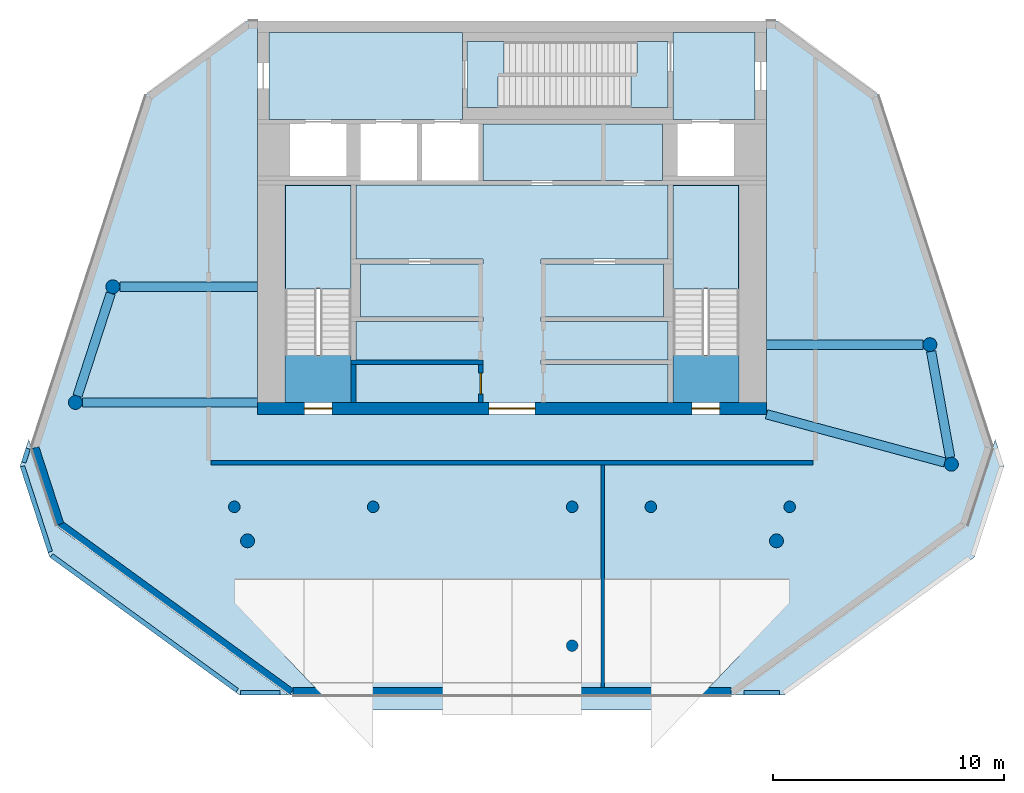
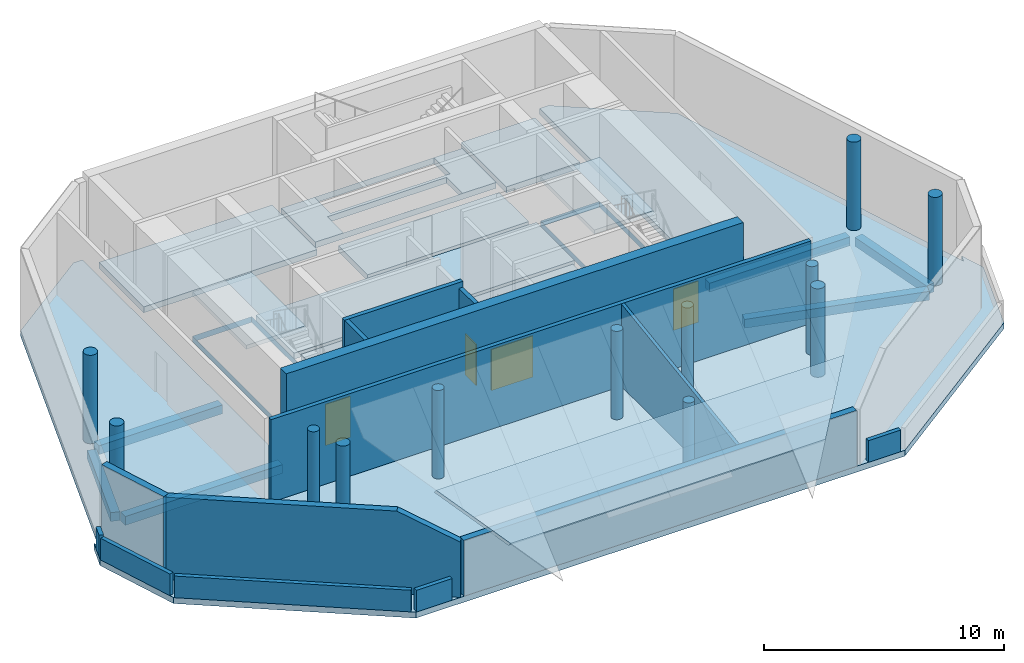
# One storey, part 1 of 7: 14 walls, 12 columns, 11 slabs, 6 beams, 4 doors, 4 openings, 2 elements without a shape of their own.
"""IFC4 building model written with IfcOpenShell, lengths in metres."""

import ifcopenshell
import ifcopenshell.guid

model = None  # the IFC model being written
_history = None  # IfcOwnerHistory: only IFC2X3 demands one
_inside = {}  # id of a spatial element -> (the spatial element, [elements in it])
_under = {}  # id of a project, library or spatial element -> (it, [spatial elements below it])
_declared = {}  # id of a project -> (the project, [libraries it declares])
_typed = {}  # id of a type object -> (the type object, [elements of that type])
_made_of = {}  # id of a material, layer set ... -> (it, [elements and type objects made of it])


def new_model(schema):
    """Start an empty IFC model of exactly this schema.

    Asked for "IFC4X3", IfcOpenShell would pick the latest addendum, in which some entities
    have other attributes; the version numbers below select the first issue.
    IFC2X3 requires an IfcOwnerHistory on every rooted entity: one is made here for all.
    """
    global model, _history
    if schema == "IFC4X3":
        model = ifcopenshell.file(schema_version=(4, 3, 0, 0))
    else:
        model = ifcopenshell.file(schema=schema)
    _inside.clear()
    _under.clear()
    _declared.clear()
    _typed.clear()
    _made_of.clear()
    _history = None
    if model.schema == "IFC2X3":
        org = make("IfcOrganization", Name="unknown")
        user = make(
            "IfcPersonAndOrganization",
            ThePerson=make("IfcPerson", FamilyName="unknown"),
            TheOrganization=org,
        )
        app = make(
            "IfcApplication",
            ApplicationDeveloper=org,
            Version="unknown",
            ApplicationFullName="unknown",
            ApplicationIdentifier="unknown",
        )
        _history = make(
            "IfcOwnerHistory",
            OwningUser=user,
            OwningApplication=app,
            ChangeAction="ADDED",
            CreationDate=0,
        )
    return model


def make(cls, **values):
    """One entity of the class cls with the attributes given. An attribute that is None is left unset."""
    return model.create_entity(
        cls, **{name: value for name, value in values.items() if value is not None}
    )


def rooted(cls, **values):
    """An entity with a GlobalId (a new one), such as an element, a storey or a relation."""
    return make(cls, GlobalId=ifcopenshell.guid.new(), OwnerHistory=_history, **values)


def si_unit(unit_type, name, prefix=None):
    """IfcSIUnit, for example si_unit("LENGTHUNIT", "METRE", prefix="MILLI")."""
    return make("IfcSIUnit", UnitType=unit_type, Prefix=prefix, Name=name)


def assignment(units):
    """IfcUnitAssignment: the units of a project."""
    return None if units is None else make("IfcUnitAssignment", Units=units)


def point(xyz):
    """IfcCartesianPoint."""
    return None if xyz is None else make("IfcCartesianPoint", Coordinates=xyz)


def direction(xyz):
    """IfcDirection."""
    return None if xyz is None else make("IfcDirection", DirectionRatios=xyz)


def frame(location, z_axis=None, x_axis=None):
    """IfcAxis2Placement3D, a coordinate frame: its origin and axes. An axis left out is left unset."""
    return make(
        "IfcAxis2Placement3D",
        Location=point(location),
        Axis=direction(z_axis),
        RefDirection=direction(x_axis),
    )


def frame_2d(location, x_axis=None):
    """IfcAxis2Placement2D, a coordinate frame in the plane: its origin and x axis."""
    return make(
        "IfcAxis2Placement2D", Location=point(location), RefDirection=direction(x_axis)
    )


def origin():
    """The frame at (0, 0, 0) with its axes left unset."""
    return frame((0.0, 0.0, 0.0))


def origin_2d():
    """The frame at (0, 0) in the plane with its x axis left unset."""
    return frame_2d((0.0, 0.0))


def place(relative_to, where):
    """IfcLocalPlacement: puts the frame where relative to a parent placement (None: the world)."""
    return make(
        "IfcLocalPlacement", PlacementRelTo=relative_to, RelativePlacement=where
    )


def context(
    kind, dimensions, precision=None, world=None, true_north=None, identifier=None
):
    """IfcGeometricRepresentationContext, for example the 3D "Model" context."""
    return make(
        "IfcGeometricRepresentationContext",
        ContextIdentifier=identifier,
        ContextType=kind,
        CoordinateSpaceDimension=dimensions,
        Precision=precision,
        WorldCoordinateSystem=world,
        TrueNorth=true_north,
    )


def subcontext(parent, identifier, kind, view, scale=None):
    """IfcGeometricRepresentationSubContext, for example "Body" below "Model"."""
    return make(
        "IfcGeometricRepresentationSubContext",
        ContextIdentifier=identifier,
        ContextType=kind,
        ParentContext=parent,
        TargetScale=scale,
        TargetView=view,
    )


def project(units=None, contexts=None):
    """IfcProject with its units and contexts."""
    return rooted(
        "IfcProject",
        Name="project",
        RepresentationContexts=contexts,
        UnitsInContext=assignment(units),
    )


def spatial(cls, under=None, at=None, **own):
    """A site, building, storey or space (cls), placed at a placement, below another one or the project."""
    s = rooted(cls, ObjectPlacement=at, **own)
    if under is not None:
        _under.setdefault(under.id(), (under, []))[1].append(s)
    return s


def polyline(points):
    """IfcPolyline through the points."""
    return make("IfcPolyline", Points=[point(p) for p in points])


def profile(cls, at=None, kind="AREA", **sizes):
    """A parametric profile (cls). Its sizes go by their IFC names, for example OverallWidth=200.0."""
    return make(cls, ProfileType=kind, Position=at, **sizes)


def rectangle(**sizes):
    """IfcRectangleProfileDef."""
    return profile("IfcRectangleProfileDef", **sizes)


def circle(**sizes):
    """IfcCircleProfileDef."""
    return profile("IfcCircleProfileDef", **sizes)


def outline(outer, holes=None, kind="AREA"):
    """IfcArbitraryClosedProfileDef: a profile drawn as a closed curve; with holes, ...WithVoids."""
    if holes is None:
        return make("IfcArbitraryClosedProfileDef", ProfileType=kind, OuterCurve=outer)
    return make(
        "IfcArbitraryProfileDefWithVoids",
        ProfileType=kind,
        OuterCurve=outer,
        InnerCurves=holes,
    )


def extrude(swept, where, along, depth):
    """IfcExtrudedAreaSolid: the profile swept, set in the frame where, extruded along a direction by depth."""
    return make(
        "IfcExtrudedAreaSolid",
        SweptArea=swept,
        Position=where,
        ExtrudedDirection=direction(along),
        Depth=depth,
    )


def shape(context_of_items, identifier, shape_type, items):
    """IfcShapeRepresentation: the items that make up one representation, for example the "Body"."""
    return make(
        "IfcShapeRepresentation",
        ContextOfItems=context_of_items,
        RepresentationIdentifier=identifier,
        RepresentationType=shape_type,
        Items=items,
    )


def material(Name=None, Category=None):
    """IfcMaterial."""
    return make("IfcMaterial", Name=Name, Category=Category)


def layer(
    of_material, thickness, ventilated=None, Name=None, Category=None, Priority=None
):
    """IfcMaterialLayer: one layer of a wall or slab, of a material (None: an air gap)."""
    return make(
        "IfcMaterialLayer",
        Material=of_material,
        LayerThickness=thickness,
        IsVentilated=ventilated,
        Name=Name,
        Category=Category,
        Priority=Priority,
    )


def layer_set(layers, Name=None):
    """IfcMaterialLayerSet."""
    return make("IfcMaterialLayerSet", MaterialLayers=layers, LayerSetName=Name)


def material_profile(
    of_material, cross_section, Name=None, Category=None, Priority=None
):
    """IfcMaterialProfile: a cross section and its material."""
    return make(
        "IfcMaterialProfile",
        Name=Name,
        Material=of_material,
        Profile=cross_section,
        Priority=Priority,
        Category=Category,
    )


def profile_set(profiles, Name=None, composite=None):
    """IfcMaterialProfileSet."""
    return make(
        "IfcMaterialProfileSet",
        Name=Name,
        MaterialProfiles=profiles,
        CompositeProfile=composite,
    )


def made_of(thing, what):
    """Note that an element or type object is made of a material, layer set ...; save() writes the relation."""
    if what is not None:
        _made_of.setdefault(what.id(), (what, []))[1].append(thing)
    return thing


def type_object(cls, material=None, **own):
    """A type object (cls), such as IfcWallType, which elements share."""
    return made_of(rooted(cls, **own), material)


def element(
    cls,
    number,
    at=None,
    inside=None,
    cuts=None,
    type_object=None,
    material=None,
    context=None,
    identifier="Body",
    shape_type=None,
    held_by="IfcProductDefinitionShape",
    body=None,
    shapes=None,
    **own,
):
    """One element of the class cls, such as IfcWall. Its Tag is "e" and its number.

    at: its placement. inside: the storey or other place that contains it. cuts: it is an
    opening in that element (IfcRelVoidsElement). A single representation is given by context,
    identifier, shape_type and body (its items); several are given by shapes. held_by: the class
    of the entity that holds the representations. save() writes the other relations.
    """
    e = rooted(cls, Tag="e%d" % number, ObjectPlacement=at, **own)
    if body is not None:
        shapes = [shape(context, identifier, shape_type, body)]
    if shapes is not None:
        e.Representation = make(held_by, Representations=shapes)
    if inside is not None:
        _inside.setdefault(inside.id(), (inside, []))[1].append(e)
    if cuts is not None:
        rooted(
            "IfcRelVoidsElement", RelatingBuildingElement=cuts, RelatedOpeningElement=e
        )
    if type_object is not None:
        _typed.setdefault(type_object.id(), (type_object, []))[1].append(e)
    return made_of(e, material)


def fill(opening, filler):
    """IfcRelFillsElement: the door or window that sits in an opening."""
    return rooted(
        "IfcRelFillsElement",
        RelatingOpeningElement=opening,
        RelatedBuildingElement=filler,
    )


def aggregate(whole, parts):
    """IfcRelAggregates: a whole, such as a stair, and the parts it consists of."""
    return rooted("IfcRelAggregates", RelatingObject=whole, RelatedObjects=parts)


def save(model, path):
    """Write the relations noted so far, then the file.

    IfcRelAggregates (storeys below a building ...), IfcRelContainedInSpatialStructure (elements
    in a storey), IfcRelDefinesByType, IfcRelAssociatesMaterial and IfcRelDeclares: one each for
    every whole, place, type object, material and project.
    """
    for whole, parts in _under.values():
        aggregate(whole, parts)
    for where, things in _inside.values():
        rooted(
            "IfcRelContainedInSpatialStructure",
            RelatedElements=things,
            RelatingStructure=where,
        )
    for kind, things in _typed.values():
        rooted("IfcRelDefinesByType", RelatedObjects=things, RelatingType=kind)
    for what, things in _made_of.values():
        rooted("IfcRelAssociatesMaterial", RelatedObjects=things, RelatingMaterial=what)
    for by, libraries in _declared.values():
        rooted("IfcRelDeclares", RelatingContext=by, RelatedDefinitions=libraries)
    model.write(path)


model = new_model("IFC4")

# Units and contexts
model_context = context("Model", 3, precision=1e-05, world=origin(), true_north=direction((0.0, 1.0)))
body_context = subcontext(model_context, "Body", "Model", "MODEL_VIEW")
ifc_project = project(units=[si_unit("LENGTHUNIT", "METRE"), si_unit("AREAUNIT", "SQUARE_METRE"), si_unit("VOLUMEUNIT", "CUBIC_METRE"), si_unit("PLANEANGLEUNIT", "RADIAN"), si_unit("MASSUNIT", "GRAM", prefix="KILO")], contexts=[model_context])

# Site, building, storey
site_placement = place(None, origin())
site = spatial("IfcSite", under=ifc_project, at=site_placement, CompositionType="ELEMENT")
building_placement = place(site_placement, origin())
building = spatial("IfcBuilding", under=site, at=building_placement, Name="White Candle Pilgrim Tower", CompositionType="ELEMENT")
storey_placement = place(building_placement, frame((0.0, 0.0, 333.199951171875)))
storey = spatial("IfcBuildingStorey", under=building, at=storey_placement, Name="L78", CompositionType="ELEMENT", Elevation=333.199951171875)

# Columns
ifc_material_1 = material(Name="Concrete C60/75", Category="concrete")
ifc_material_profile_1 = material_profile(ifc_material_1, circle(Radius=0.25, at=origin_2d()), Name="RC-COL D500")
ifc_profile_set_1 = profile_set([ifc_material_profile_1], Name="Concrete C60/75")
column_type_1 = type_object("IfcColumnType", Name="Interior column RC-COL D500 C60/75", PredefinedType="COLUMN", material=ifc_profile_set_1)
for number, where, z_axis, x_axis, name in (
    (1, (58.0, 67.0, 0.0), (0.0, 0.0, 1.0), (1.0, 0.0, 0.0), "L78 crown column I01"),
    (2, (64.0, 67.0, 0.0), (0.0, 0.0, 1.0), (1.0, 0.0, 0.0), "L78 crown column I02"),
):
    element("IfcColumn", number, at=place(storey_placement, frame(where, z_axis=z_axis, x_axis=x_axis)), inside=storey, type_object=column_type_1, Name=name, PredefinedType="COLUMN", context=body_context, shape_type="SweptSolid", body=[
        extrude(circle(Radius=0.25, at=origin_2d()), origin(), (0.0, 0.0, 1.0), 4.5),
    ])
column_placement = place(storey_placement, frame((72.60009765625, 61.0, 0.0), z_axis=(0.0, 0.0, 1.0), x_axis=(1.0, 0.0, 0.0)))
element("IfcColumn", 3, at=column_placement, inside=storey, type_object=column_type_1, Name="L78 crown column I03", PredefinedType="COLUMN", context=body_context, shape_type="SweptSolid", body=[
    extrude(circle(Radius=0.25, at=origin_2d()), origin(), (0.0, 0.0, 1.0), 4.492431640625),
])
for number, where, z_axis, x_axis, name in (
    (4, (72.60009765625, 67.0, 0.0), (0.0, 0.0, 1.0), (1.0, 0.0, 0.0), "L78 crown column I04"),
    (5, (76.0, 67.0, 0.0), (0.0, 0.0, 1.0), (1.0, 0.0, 0.0), "L78 crown column I05"),
    (6, (82.0, 67.0, 0.0), (0.0, 0.0, 1.0), (1.0, 0.0, 0.0), "L78 crown column I06"),
):
    element("IfcColumn", number, at=place(storey_placement, frame(where, z_axis=z_axis, x_axis=x_axis)), inside=storey, type_object=column_type_1, Name=name, PredefinedType="COLUMN", context=body_context, shape_type="SweptSolid", body=[
        extrude(circle(Radius=0.25, at=origin_2d()), origin(), (0.0, 0.0, 1.0), 4.5),
    ])
ifc_material_profile_2 = material_profile(ifc_material_1, circle(Radius=0.300048828125, at=origin_2d()), Name="RC-COL D600")
ifc_profile_set_2 = profile_set([ifc_material_profile_2], Name="Concrete C60/75")
column_type_2 = type_object("IfcColumnType", Name="Perimeter column RC-COL D600 C60/75", PredefinedType="COLUMN", material=ifc_profile_set_2)
for number, where, z_axis, x_axis, name in (
    (7, (88.989990234375, 68.840087890625, 0.0), (0.0, 0.0, 1.0), (1.0, 0.0, 0.0), "L78 crown column T05"),
    (8, (88.06005859375, 74.010009765625, 0.0), (0.0, 0.0, 1.0), (1.0, 0.0, 0.0), "L78 crown column T06"),
    (9, (52.75, 76.510009765625, 0.0), (0.0, 0.0, 1.0), (1.0, 0.0, 0.0), "L78 crown column T07"),
    (10, (51.1298828125, 71.510009765625, 0.0), (0.0, 0.0, 1.0), (1.0, 0.0, 0.0), "L78 crown column T08"),
):
    element("IfcColumn", number, at=place(storey_placement, frame(where, z_axis=z_axis, x_axis=x_axis)), inside=storey, type_object=column_type_2, Name=name, PredefinedType="COLUMN", context=body_context, shape_type="SweptSolid", body=[
        extrude(circle(Radius=0.300048828125, at=origin_2d()), origin(), (0.0, 0.0, 1.0), 4.5),
    ])
ifc_material_profile_3 = material_profile(ifc_material_1, circle(Radius=0.300048828125, at=origin_2d()), Name="RC-COL D600")
ifc_profile_set_3 = profile_set([ifc_material_profile_3], Name="Concrete C60/75")
column_type_3 = type_object("IfcColumnType", Name="Ring column RC-COL D600 C60/75", PredefinedType="COLUMN", material=ifc_profile_set_3)
for number, where, z_axis, x_axis, name in (
    (11, (81.429931640625, 65.530029296875, 0.0), (0.0, 0.0, 1.0), (1.0, 0.0, 0.0), "L78 crown column R05"),
    (12, (58.570068359375, 65.530029296875, 0.0), (0.0, 0.0, 1.0), (1.0, 0.0, 0.0), "L78 crown column R06"),
):
    element("IfcColumn", number, at=place(storey_placement, frame(where, z_axis=z_axis, x_axis=x_axis)), inside=storey, type_object=column_type_3, Name=name, PredefinedType="COLUMN", context=body_context, shape_type="SweptSolid", body=[
        extrude(circle(Radius=0.300048828125, at=origin_2d()), origin(), (0.0, 0.0, 1.0), 4.5),
    ])

# Beams
ifc_material_2 = material(Name="Concrete C50/60", Category="concrete")
ifc_material_profile_4 = material_profile(ifc_material_2, rectangle(XDim=0.39990234375, YDim=0.449951171875, at=origin_2d()), Name="RC-BM 400x450")
ifc_profile_set_4 = profile_set([ifc_material_profile_4], Name="Concrete C50/60")
beam_type = type_object("IfcBeamType", Name="Spandrel beam RC-BM 400x450 C50/60", PredefinedType="BEAM", material=ifc_profile_set_4)
beam_1_placement = place(storey_placement, frame((88.93701171875, 69.135009765625, -0.52490234375), z_axis=(-0.177070671153, 0.984198139308, 0.0), x_axis=(-0.984198139308, -0.177070671153, 0.0)))
element("IfcBeam", 13, at=beam_1_placement, inside=storey, type_object=beam_type, Name="L78 spandrel beam T01", PredefinedType="BEAM", context=body_context, shape_type="SweptSolid", body=[
    extrude(rectangle(XDim=0.39990234375, YDim=0.449951171875, at=origin_2d()), origin(), (0.0, 0.0, 1.0), 4.6533203125),
])
beam_2_placement = place(storey_placement, frame((87.760009765625, 74.010009765625, -0.52490234375), z_axis=(-1.0, 0.0, 0.0), x_axis=(0.0, -1.0, 0.0)))
element("IfcBeam", 14, at=beam_2_placement, inside=storey, type_object=beam_type, Name="L78 spandrel beam T02", PredefinedType="BEAM", context=body_context, shape_type="SweptSolid", body=[
    extrude(rectangle(XDim=0.39990234375, YDim=0.449951171875, at=origin_2d()), origin(), (0.0, 0.0, 1.0), 6.760009765625),
])
beam_3_placement = place(storey_placement, frame((53.050048828125, 76.510009765625, -0.52490234375), z_axis=(1.0, 0.0, 0.0), x_axis=(0.0, 1.0, 0.0)))
element("IfcBeam", 15, at=beam_3_placement, inside=storey, type_object=beam_type, Name="L78 spandrel beam T03", PredefinedType="BEAM", context=body_context, shape_type="SweptSolid", body=[
    extrude(rectangle(XDim=0.39990234375, YDim=0.449951171875, at=origin_2d()), origin(), (0.0, 0.0, 1.0), 5.949951171875),
])
beam_4_placement = place(storey_placement, frame((52.65771484375, 76.224609375, -0.52490234375), z_axis=(-0.308272590093, -0.951298065907, 0.0), x_axis=(0.951298065907, -0.308272590093, 0.0)))
element("IfcBeam", 16, at=beam_4_placement, inside=storey, type_object=beam_type, Name="L78 spandrel beam T04", PredefinedType="BEAM", context=body_context, shape_type="SweptSolid", body=[
    extrude(rectangle(XDim=0.39990234375, YDim=0.449951171875, at=origin_2d()), origin(), (0.0, 0.0, 1.0), 4.656005859375),
])
beam_5_placement = place(storey_placement, frame((51.429931640625, 71.510009765625, -0.52490234375), z_axis=(1.0, 0.0, 0.0), x_axis=(0.0, 1.0, 0.0)))
element("IfcBeam", 17, at=beam_5_placement, inside=storey, type_object=beam_type, Name="L78 spandrel beam T05", PredefinedType="BEAM", context=body_context, shape_type="SweptSolid", body=[
    extrude(rectangle(XDim=0.39990234375, YDim=0.449951171875, at=origin_2d()), origin(), (0.0, 0.0, 1.0), 7.570068359375),
])
beam_6_placement = place(storey_placement, frame((88.700439453125, 68.918212890625, -0.52490234375), z_axis=(-0.965344847794, 0.260977632831, 0.0), x_axis=(-0.260977632831, -0.965344847794, 0.0)))
element("IfcBeam", 18, at=beam_6_placement, inside=storey, type_object=beam_type, Name="L78 spandrel beam T06", PredefinedType="BEAM", context=body_context, shape_type="SweptSolid", body=[
    extrude(rectangle(XDim=0.39990234375, YDim=0.449951171875, at=origin_2d()), origin(), (0.0, 0.0, 1.0), 7.976806640625),
])

# Slabs
ifc_material_3 = material(Name="Concrete C40/50", Category="concrete")
ifc_layer_1 = layer(ifc_material_3, 0.300048828125)
ifc_layer_set_1 = layer_set([ifc_layer_1], Name="Core floor slab 300 mm Concrete C40/50")
slab_type_1 = type_object("IfcSlabType", Name="Core floor slab 300 mm Concrete C40/50", PredefinedType="FLOOR", material=ifc_layer_set_1)
slab_1_placement = place(storey_placement, frame((0.0, 0.0, -0.300048828125)))
element("IfcSlab", 19, at=slab_1_placement, inside=storey, type_object=slab_type_1, Name="CF-L78-01", PredefinedType="FLOOR", context=body_context, shape_type="SweptSolid", body=[
    extrude(outline(polyline([(67.85009765625, 87.5), (67.85009765625, 87.10009765625), (67.85009765625, 84.25), (67.85009765625, 83.75), (59.5, 83.75), (59.5, 87.5), (67.85009765625, 87.5)])), origin(), (0.0, 0.0, 1.0), 0.300048828125),
])
slab_2_placement = place(storey_placement, frame((0.0, 0.0, -0.300048828125)))
element("IfcSlab", 20, at=slab_2_placement, inside=storey, type_object=slab_type_1, Name="CF-L78-02", PredefinedType="FLOOR", context=body_context, shape_type="SweptSolid", body=[
    extrude(outline(polyline([(80.5, 87.5), (80.5, 83.75), (76.949951171875, 83.75), (76.949951171875, 84.25), (76.949951171875, 87.10009765625), (76.949951171875, 87.5), (80.5, 87.5)])), origin(), (0.0, 0.0, 1.0), 0.300048828125),
])
slab_3_placement = place(storey_placement, frame((0.0, 0.0, -0.300048828125)))
element("IfcSlab", 21, at=slab_3_placement, inside=storey, type_object=slab_type_1, Name="CF-L78-03", PredefinedType="FLOOR", context=body_context, shape_type="SweptSolid", body=[
    extrude(outline(polyline([(76.949951171875, 71.5), (76.949951171875, 73.14990234375), (76.949951171875, 73.35009765625), (76.949951171875, 75.0), (76.949951171875, 75.199951171875), (76.949951171875, 77.5), (76.949951171875, 77.699951171875), (76.949951171875, 80.89990234375), (79.800048828125, 80.89990234375), (79.800048828125, 71.5), (76.949951171875, 71.5)]), holes=[polyline([(76.951904296875, 73.552001953125), (79.798095703125, 73.552001953125), (79.798095703125, 80.89794921875), (76.951904296875, 80.89794921875), (76.951904296875, 73.552001953125)])]), origin(), (0.0, 0.0, 1.0), 0.300048828125),
])
slab_4_placement = place(storey_placement, frame((0.0, 0.0, -0.300048828125)))
element("IfcSlab", 22, at=slab_4_placement, inside=storey, type_object=slab_type_1, Name="CF-L78-04", PredefinedType="FLOOR", context=body_context, shape_type="SweptSolid", body=[
    extrude(outline(polyline([(63.25, 71.5), (63.25, 73.14990234375), (68.75, 73.14990234375), (68.75, 73.35009765625), (63.25, 73.35009765625), (63.25, 75.0), (68.75, 75.0), (68.75, 75.199951171875), (63.449951171875, 75.199951171875), (63.449951171875, 77.5), (68.75, 77.5), (68.75, 77.699951171875), (63.25, 77.699951171875), (63.25, 80.89990234375), (76.75, 80.89990234375), (76.75, 77.699951171875), (71.25, 77.699951171875), (71.25, 77.5), (76.550048828125, 77.5), (76.550048828125, 75.199951171875), (71.25, 75.199951171875), (71.25, 75.0), (76.75, 75.0), (76.75, 73.35009765625), (71.25, 73.35009765625), (71.25, 73.14990234375), (76.75, 73.14990234375), (76.75, 71.5), (63.25, 71.5)])), origin(), (0.0, 0.0, 1.0), 0.300048828125),
])
slab_5_placement = place(storey_placement, frame((0.0, 0.0, -0.300048828125)))
element("IfcSlab", 23, at=slab_5_placement, inside=storey, type_object=slab_type_1, Name="CF-L78-05", PredefinedType="FLOOR", context=body_context, shape_type="SweptSolid", body=[
    extrude(outline(polyline([(60.199951171875, 71.5), (60.199951171875, 80.89990234375), (63.050048828125, 80.89990234375), (63.050048828125, 77.699951171875), (63.050048828125, 77.5), (63.050048828125, 75.199951171875), (63.050048828125, 75.0), (63.050048828125, 73.35009765625), (63.050048828125, 73.14990234375), (63.050048828125, 71.5), (60.199951171875, 71.5)]), holes=[polyline([(63.048095703125, 73.552001953125), (63.048095703125, 80.89794921875), (60.201904296875, 80.89794921875), (60.201904296875, 73.552001953125), (63.048095703125, 73.552001953125)])]), origin(), (0.0, 0.0, 1.0), 0.300048828125),
])
slab_6_placement = place(storey_placement, frame((0.0, 0.0, -0.300048828125)))
element("IfcSlab", 24, at=slab_6_placement, inside=storey, type_object=slab_type_1, Name="CF-L78-06", PredefinedType="FLOOR", context=body_context, shape_type="SweptSolid", body=[
    extrude(outline(polyline([(68.75, 83.550048828125), (76.5, 83.550048828125), (76.5, 81.300048828125), (76.5, 81.10009765625), (68.75, 81.10009765625), (68.75, 83.550048828125)])), origin(), (0.0, 0.0, 1.0), 0.300048828125),
])
slab_7_placement = place(storey_placement, frame((0.0, 0.0, -0.300048828125)))
element("IfcSlab", 25, at=slab_7_placement, inside=storey, type_object=slab_type_1, Name="CF-L78-07", PredefinedType="FLOOR", context=body_context, shape_type="SweptSolid", body=[
    extrude(outline(polyline([(68.050048828125, 87.10009765625), (76.75, 87.10009765625), (76.75, 84.25), (68.050048828125, 84.25), (68.050048828125, 87.10009765625)]), holes=[polyline([(69.402099609375, 84.251953125), (75.14794921875, 84.251953125), (75.14794921875, 85.597900390625), (69.402099609375, 85.597900390625), (69.402099609375, 84.251953125)]), polyline([(69.652099609375, 87.097900390625), (69.652099609375, 85.751953125), (75.39794921875, 85.751953125), (75.39794921875, 87.097900390625), (69.652099609375, 87.097900390625)])]), origin(), (0.0, 0.0, 1.0), 0.300048828125),
])
ifc_layer_2 = layer(ifc_material_3, 0.300048828125)
ifc_layer_set_2 = layer_set([ifc_layer_2], Name="Floor slab 300 REI 120")
slab_type_2 = type_object("IfcSlabType", Name="Floor slab 300 REI 120", PredefinedType="FLOOR", material=ifc_layer_set_2)
slab_8_placement = place(storey_placement, frame((0.0, 0.0, -0.300048828125)))
element("IfcSlab", 26, at=slab_8_placement, inside=storey, type_object=slab_type_2, Name="L78 floor slab", PredefinedType="FLOOR", context=body_context, shape_type="SweptSolid", body=[
    extrude(outline(polyline([(58.228759765625, 58.86181640625), (81.771484375, 58.862060546875), (89.9892578125, 64.83251953125), (91.263671875, 68.75439453125), (90.885009765625, 69.919189453125), (90.766845703125, 69.555419921875), (85.8046875, 84.82666015625), (81.43701171875, 88.0), (81.0, 88.0), (81.0, 71.0), (59.0, 71.0), (59.0, 88.0), (58.56298828125, 88.0), (54.195068359375, 84.826416015625), (49.233154296875, 69.555419921875), (49.11474609375, 69.919189453125), (48.736328125, 68.75439453125), (50.0107421875, 64.83251953125), (58.228759765625, 58.86181640625)])), origin(), (0.0, 0.0, 1.0), 0.300048828125),
])
ifc_layer_3 = layer(ifc_material_3, 0.300048828125)
ifc_layer_set_3 = layer_set([ifc_layer_3], Name="Roof slab 300 REI 120")
slab_type_3 = type_object("IfcSlabType", Name="Roof slab 300 REI 120", PredefinedType="ROOF", material=ifc_layer_set_3)
slab_9_placement = place(storey_placement, frame((62.40771484375, 58.2265625, 2.4375), z_axis=(0.0, -0.662912351496, 0.748697010969), x_axis=(-0.580762059722, 0.609494288824, 0.539659283139)))
element("IfcSlab", 27, at=slab_9_placement, inside=storey, type_object=slab_type_3, Name="Roof slab L78-01", PredefinedType="ROOF", context=body_context, shape_type="SweptSolid", body=[
    extrude(outline(polyline([(0.0, 0.0), (0.25727242335964706, -1.3877787807814457e-17), (0.5145548815768581, 0.0002927411375263367), (0.7718373397940694, 0.0005854822750526456), (1.0291197980112807, 0.00087822341257901), (1.2862434190543204, 0.000984379374053046), (1.5435258772715312, 0.001277120511579355), (1.8008083354887425, 0.0015698616491057193), (2.05808075884839, 0.0015698616491056083), (2.315363217065601, 0.0018626027866320283), (2.572645675282812, 0.0021553439241585037), (2.829911083938088, 0.0024602482637178236), (3.0870517545430625, 0.00255424102315871), (3.344334212760274, 0.0028469821606851298), (3.601748423732158, 0.0030457305387705524), (3.824171746479072, 0.003315367420407389), (-7.577253728706358, -15.978439211182941), (-7.649382182482265, -15.768035567294053), (-7.732964780851835, -15.524568804139435), (-7.816415626466732, -15.281196033744257), (-7.900008259693864, -15.038022011727168), (-7.983442055746827, -14.794661404534024), (-8.06689290136172, -14.551288634138848), (-8.150343746976619, -14.307915863743672), (-8.234068132958424, -14.06464784896714), (-8.317518978573322, -13.821275078571963), (-8.400969824188216, -13.577902308176785), (-8.484545407853414, -13.334740449361728), (-8.567996253468312, -13.09136767896655), (-8.65144709908321, -12.847994908571374), (-8.734897944698103, -12.604622138176198), (-8.818622330679911, -12.361354123399666), (-8.827429858694185, -12.33557730787742), (-0.027239917605058093, -6.047362885604028e-05), (0.0, 0.0)])), origin(), (0.0, 0.0, -1.0), 0.300048828125),
])

# Stair, slab
stair_type_1 = type_object("IfcStairType", Name="Exit stair 1 flight width 1350 mm", PredefinedType="HALF_TURN_STAIR", material=ifc_material_3)
stair_1_placement = place(storey_placement, origin())
stair_1 = element("IfcStair", 28, at=stair_1_placement, inside=storey, type_object=stair_type_1, Name="L78 stair 1", PredefinedType="NOTDEFINED")
ifc_layer_4 = layer(ifc_material_3, 0.199951171875)
ifc_layer_set_4 = layer_set([ifc_layer_4], Name="Stair landing Concrete C40/50")
slab_type_4 = type_object("IfcSlabType", Name="Stair landing Concrete C40/50", PredefinedType="LANDING", material=ifc_layer_set_4)
slab_10_placement = place(storey_placement, frame((0.0, 0.0, 2.050048828125)))
slab_10 = element("IfcSlab", 29, at=slab_10_placement, type_object=slab_type_4, Name="ST1 landing 1", PredefinedType="LANDING", context=body_context, shape_type="SweptSolid", body=[
    extrude(outline(polyline([(63.052001953125, 76.407958984375), (60.197998046875, 76.407958984375), (60.197998046875, 80.902099609375), (63.052001953125, 80.902099609375), (63.052001953125, 76.407958984375)])), origin(), (0.0, 0.0, 1.0), 0.199951171875),
])
aggregate(stair_1, [slab_10])

stair_type_2 = type_object("IfcStairType", Name="Exit stair 2 flight width 1350 mm", PredefinedType="HALF_TURN_STAIR", material=ifc_material_3)
stair_2_placement = place(storey_placement, origin())
stair_2 = element("IfcStair", 30, at=stair_2_placement, inside=storey, type_object=stair_type_2, Name="L78 stair 2", PredefinedType="NOTDEFINED")
slab_11_placement = place(storey_placement, frame((0.0, 0.0, 2.050048828125)))
slab_11 = element("IfcSlab", 31, at=slab_11_placement, type_object=slab_type_4, Name="ST2 landing 1", PredefinedType="LANDING", context=body_context, shape_type="SweptSolid", body=[
    extrude(outline(polyline([(79.802001953125, 76.407958984375), (76.947998046875, 76.407958984375), (76.947998046875, 80.902099609375), (79.802001953125, 80.902099609375), (79.802001953125, 76.407958984375)])), origin(), (0.0, 0.0, 1.0), 0.199951171875),
])
aggregate(stair_2, [slab_11])

# Walls
ifc_material_4 = material(Name="Gypsum board on steel studs", Category="steel")
ifc_layer_5 = layer(ifc_material_4, 0.199951171875)
ifc_layer_set_5 = layer_set([ifc_layer_5], Name="Corridor wall 200 mm EI 45")
wall_type_1 = type_object("IfcWallType", Name="Corridor wall 200 mm EI 45", PredefinedType="PARTITIONING", material=ifc_layer_set_5)
wall_1_placement = place(storey_placement, frame((83.0, 68.89990234375, 0.0), z_axis=(0.0, 0.0, 1.0), x_axis=(-1.0, 0.0, 0.0)))
element("IfcWall", 32, at=wall_1_placement, inside=storey, type_object=wall_type_1, Name="WL-L78-P002", PredefinedType="PARTITIONING", context=body_context, shape_type="SweptSolid", body=[
    extrude(rectangle(XDim=26.0, YDim=0.199951171875, at=frame_2d((13.0, 0.0))), origin(), (0.0, 0.0, 1.0), 4.199951171875),
])
ifc_material_5 = material(Name="Precast concrete C40/50", Category="concrete")
ifc_layer_6 = layer(ifc_material_5, 0.320068359375)
ifc_layer_set_6 = layer_set([ifc_layer_6], Name="Facade wall EW4 precast concrete C40/50 crown wall with zinc cladding")
wall_type_2 = type_object("IfcWallType", Name="Facade wall EW4 precast concrete C40/50 crown wall with zinc cladding", PredefinedType="SOLIDWALL", material=ifc_layer_set_6)
wall_2_placement = place(storey_placement, frame((49.4013671875, 69.555419921875, 0.0), z_axis=(0.0, 0.0, 1.0), x_axis=(0.309032063521, -0.951051619901, 0.0)))
element("IfcWall", 33, at=wall_2_placement, inside=storey, type_object=wall_type_2, Name="Crown wall L78 W chamfer", PredefinedType="SOLIDWALL", context=body_context, shape_type="SweptSolid", body=[
    extrude(rectangle(XDim=3.475341796875, YDim=0.320068359375, at=frame_2d((1.73779296875, 0.0))), origin(), (0.0, 0.0, 1.0), 4.199951171875),
])
wall_3_placement = place(storey_placement, frame((50.475341796875, 66.250244140625, 0.0), z_axis=(0.0, 0.0, 1.0), x_axis=(0.809010412603, -0.587794311217, 0.0)))
element("IfcWall", 34, at=wall_3_placement, inside=storey, type_object=wall_type_2, Name="Crown wall L78 SW", PredefinedType="SOLIDWALL", context=body_context, shape_type="SweptSolid", body=[
    extrude(outline(polyline([(0.0, 0.0), (12.349609375, 0.0), (12.349609375, 2.814697265625), (9.6875, 4.199951171875), (0.0, 4.199951171875), (0.0, 0.0)])), frame((0.0, 0.16015625, 0.0), z_axis=(0.0, -1.0, 0.0), x_axis=(1.0, 0.0, 0.0)), (0.0, 0.0, 1.0), 0.320068359375),
])
wall_4_placement = place(storey_placement, frame((60.543212890625, 59.02197265625, 0.0), z_axis=(0.0, 0.0, 1.0), x_axis=(1.0, 0.0, 0.0)))
element("IfcWall", 35, at=wall_4_placement, inside=storey, type_object=wall_type_2, Name="Crown wall L78 S", PredefinedType="SOLIDWALL", context=body_context, shape_type="SweptSolid", body=[
    extrude(rectangle(XDim=18.91357421875, YDim=0.320068359375, at=frame_2d((9.456787109375, 0.0))), origin(), (0.0, 0.0, 1.0), 2.841796875),
])

# Wall, opening, door
ifc_layer_7 = layer(ifc_material_4, 0.199951171875)
ifc_layer_set_7 = layer_set([ifc_layer_7], Name="Lobby wall 200 mm EI 60")
wall_type_3 = type_object("IfcWallType", Name="Lobby wall 200 mm EI 60", PredefinedType="PARTITIONING", material=ifc_layer_set_7)
wall_5_placement = place(storey_placement, frame((68.64990234375, 71.5, 0.0), z_axis=(0.0, 0.0, 1.0), x_axis=(0.0, 1.0, 0.0)))
wall_5 = element("IfcWall", 36, at=wall_5_placement, inside=storey, type_object=wall_type_3, Name="WL-L78-C04", PredefinedType="PARTITIONING", context=body_context, shape_type="SweptSolid", body=[
    extrude(rectangle(XDim=1.64990234375, YDim=0.199951171875, at=frame_2d((0.824951171875, 0.0))), origin(), (0.0, 0.0, 1.0), 4.199951171875),
])
opening_1_placement = place(wall_5_placement, frame((0.375, 0.0, 0.0)))
opening_1 = element("IfcOpeningElement", 37, at=opening_1_placement, cuts=wall_5, Name="Opening L78-006", PredefinedType="OPENING", context=body_context, shape_type="SweptSolid", body=[
    extrude(rectangle(XDim=0.89990234375, YDim=2.10009765625, at=frame_2d((0.449951171875, 1.050048828125))), frame((0.0, 0.10986328125, 0.0), z_axis=(0.0, -1.0, 0.0), x_axis=(1.0, 0.0, 0.0)), (0.0, 0.0, 1.0), 0.219970703125),
])
ifc_material_6 = material(Name="Steel door leaf", Category="steel")
door_type_1 = type_object("IfcDoorType", Name="Fire door 900 x 2100 EI 30", OperationType="NOTDEFINED", PredefinedType="DOOR", material=ifc_material_6)
door_1_placement = place(opening_1_placement, origin())
door_1 = element("IfcDoor", 38, at=door_1_placement, inside=storey, type_object=door_type_1, Name="Door L78-006", OperationType="SINGLE_SWING_RIGHT", OverallHeight=2.10009765625, OverallWidth=0.89990234375, PredefinedType="DOOR", context=body_context, shape_type="SweptSolid", body=[
    extrude(rectangle(XDim=0.89990234375, YDim=2.10009765625, at=frame_2d((0.449951171875, 1.050048828125))), frame((0.0, 0.02490234375, 0.0), z_axis=(0.0, -1.0, 0.0), x_axis=(1.0, 0.0, 0.0)), (0.0, 0.0, 1.0), 0.050048828125),
])
fill(opening_1, door_1)

# Walls
ifc_layer_8 = layer(ifc_material_4, 0.14990234375)
ifc_layer_set_8 = layer_set([ifc_layer_8], Name="Partition 150 mm EI 60")
wall_type_4 = type_object("IfcWallType", Name="Partition 150 mm EI 60", PredefinedType="PARTITIONING", material=ifc_layer_set_8)
wall_6_placement = place(storey_placement, frame((73.92919921875, 59.181884765625, 0.0), z_axis=(0.0, 0.0, 1.0), x_axis=(0.0, 1.0, 0.0)))
element("IfcWall", 39, at=wall_6_placement, inside=storey, type_object=wall_type_4, Name="WL-L78-P004", PredefinedType="PARTITIONING", context=body_context, shape_type="SweptSolid", body=[
    extrude(outline(polyline([(0.0, 0.0), (9.6181640625, 0.0), (9.6181640625, 4.199951171875), (0.0, 2.83349609375), (0.0, 0.0)])), frame((0.0, 0.074951171875, 0.0), z_axis=(0.0, -1.0, 0.0), x_axis=(1.0, 0.0, 0.0)), (0.0, 0.0, 1.0), 0.14990234375),
])
ifc_layer_9 = layer(ifc_material_5, 0.199951171875)
ifc_layer_set_9 = layer_set([ifc_layer_9], Name="Roof parapet EW5 precast concrete C40/50 200")
wall_type_5 = type_object("IfcWallType", Name="Roof parapet EW5 precast concrete C40/50 200", PredefinedType="SOLIDWALL", material=ifc_layer_set_9)
wall_7_placement = place(storey_placement, frame((81.56884765625, 58.9619140625, 0.0), z_axis=(0.0, 0.0, 1.0), x_axis=(-1.0, 0.0, 0.0)))
element("IfcWall", 40, at=wall_7_placement, inside=storey, type_object=wall_type_5, Name="Roof parapet L78", PredefinedType="SOLIDWALL", context=body_context, shape_type="SweptSolid", body=[
    extrude(rectangle(XDim=1.548095703125, YDim=0.199951171875, at=frame_2d((0.77392578125, 0.0))), origin(), (0.0, 0.0, 1.0), 1.10009765625),
])
wall_8_placement = place(storey_placement, frame((59.979248046875, 58.9619140625, 0.0), z_axis=(0.0, 0.0, 1.0), x_axis=(-1.0, 0.0, 0.0)))
element("IfcWall", 41, at=wall_8_placement, inside=storey, type_object=wall_type_5, Name="Roof parapet L78", PredefinedType="SOLIDWALL", context=body_context, shape_type="SweptSolid", body=[
    extrude(rectangle(XDim=1.71826171875, YDim=0.199951171875, at=frame_2d((0.859130859375, 0.0))), origin(), (0.0, 0.0, 1.0), 1.10009765625),
])
wall_9_placement = place(storey_placement, frame((58.12353515625, 59.06201171875, 0.0), z_axis=(0.0, 0.0, 1.0), x_axis=(-0.809030699517, 0.587766388321, 0.0)))
element("IfcWall", 42, at=wall_9_placement, inside=storey, type_object=wall_type_5, Name="Roof parapet L78", PredefinedType="SOLIDWALL", context=body_context, shape_type="SweptSolid", body=[
    extrude(rectangle(XDim=9.9228515625, YDim=0.199951171875, at=frame_2d((4.96142578125, 0.0))), origin(), (0.0, 0.0, 1.0), 1.10009765625),
])
wall_10_placement = place(storey_placement, frame((50.043212890625, 65.05615234375, 0.0), z_axis=(0.0, 0.0, 1.0), x_axis=(-0.309023606939, 0.951054367718, 0.0)))
element("IfcWall", 43, at=wall_10_placement, inside=storey, type_object=wall_type_5, Name="Roof parapet L78", PredefinedType="SOLIDWALL", context=body_context, shape_type="SweptSolid", body=[
    extrude(rectangle(XDim=3.888671875, YDim=0.199951171875, at=frame_2d((1.9443359375, 0.0))), origin(), (0.0, 0.0, 1.0), 1.10009765625),
])
wall_11_placement = place(storey_placement, frame((48.89404296875, 68.916259765625, 0.0), z_axis=(0.0, 0.0, 1.0), x_axis=(0.309243793896, 0.950982794764, 0.0)))
element("IfcWall", 44, at=wall_11_placement, inside=storey, type_object=wall_type_5, Name="Roof parapet L78", PredefinedType="SOLIDWALL", context=body_context, shape_type="SweptSolid", body=[
    extrude(rectangle(XDim=0.6298828125, YDim=0.199951171875, at=frame_2d((0.31494140625, 0.0))), origin(), (0.0, 0.0, 1.0), 1.10009765625),
])
ifc_layer_10 = layer(ifc_material_3, 0.199951171875)
ifc_layer_set_10 = layer_set([ifc_layer_10], Name="Stair shaft wall 200 mm Concrete C40/50")
wall_type_6 = type_object("IfcWallType", Name="Stair shaft wall 200 mm Concrete C40/50", PredefinedType="SHEAR", material=ifc_layer_set_10)
wall_12_placement = place(storey_placement, frame((63.14990234375, 71.5, 0.0), z_axis=(0.0, 0.0, 1.0), x_axis=(0.0, 1.0, 0.0)))
element("IfcWall", 45, at=wall_12_placement, inside=storey, type_object=wall_type_6, Name="WL-L78-C03", PredefinedType="SHEAR", context=body_context, shape_type="SweptSolid", body=[
    extrude(rectangle(XDim=1.64990234375, YDim=0.199951171875, at=frame_2d((0.824951171875, 0.0))), origin(), (0.0, 0.0, 1.0), 4.5),
])
wall_13_placement = place(storey_placement, frame((63.050048828125, 73.25, 0.0), z_axis=(0.0, 0.0, 1.0), x_axis=(1.0, 0.0, 0.0)))
element("IfcWall", 46, at=wall_13_placement, inside=storey, type_object=wall_type_6, Name="WL-L78-C08", PredefinedType="SHEAR", context=body_context, shape_type="SweptSolid", body=[
    extrude(rectangle(XDim=5.699951171875, YDim=0.199951171875, at=frame_2d((2.85009765625, 0.0))), origin(), (0.0, 0.0, 1.0), 4.5),
])

# Wall, openings, doors
ifc_layer_11 = layer(ifc_material_3, 0.5)
ifc_layer_set_11 = layer_set([ifc_layer_11], Name="Stair shaft wall 500 mm Concrete C40/50")
wall_type_7 = type_object("IfcWallType", Name="Stair shaft wall 500 mm Concrete C40/50", PredefinedType="SHEAR", material=ifc_layer_set_11)
wall_14_placement = place(storey_placement, frame((59.0, 71.25, 0.0), z_axis=(0.0, 0.0, 1.0), x_axis=(1.0, 0.0, 0.0)))
wall_14 = element("IfcWall", 47, at=wall_14_placement, inside=storey, type_object=wall_type_7, Name="WL-L78-C01", PredefinedType="SHEAR", context=body_context, shape_type="SweptSolid", body=[
    extrude(rectangle(XDim=22.0, YDim=0.5, at=frame_2d((11.0, 0.0))), origin(), (0.0, 0.0, 1.0), 4.5),
])
opening_2_placement = place(wall_14_placement, frame((2.02490234375, 0.0, 0.0)))
opening_2 = element("IfcOpeningElement", 48, at=opening_2_placement, cuts=wall_14, Name="Opening L78-001", PredefinedType="OPENING", context=body_context, shape_type="SweptSolid", body=[
    extrude(rectangle(XDim=1.199951171875, YDim=2.10009765625, at=frame_2d((0.60009765625, 1.050048828125))), frame((0.0, 0.260009765625, 0.0), z_axis=(0.0, -1.0, 0.0), x_axis=(1.0, 0.0, 0.0)), (0.0, 0.0, 1.0), 0.52001953125),
])
opening_3_placement = place(wall_14_placement, frame((18.77490234375, 0.0, 0.0)))
opening_3 = element("IfcOpeningElement", 49, at=opening_3_placement, cuts=wall_14, Name="Opening L78-002", PredefinedType="OPENING", context=body_context, shape_type="SweptSolid", body=[
    extrude(rectangle(XDim=1.199951171875, YDim=2.10009765625, at=frame_2d((0.60009765625, 1.050048828125))), frame((0.0, 0.260009765625, 0.0), z_axis=(0.0, -1.0, 0.0), x_axis=(1.0, 0.0, 0.0)), (0.0, 0.0, 1.0), 0.52001953125),
])
opening_4_placement = place(wall_14_placement, frame((10.0, 0.0, 0.0)))
opening_4 = element("IfcOpeningElement", 50, at=opening_4_placement, cuts=wall_14, Name="Opening L78-005", PredefinedType="OPENING", context=body_context, shape_type="SweptSolid", body=[
    extrude(rectangle(XDim=2.0, YDim=2.10009765625, at=frame_2d((1.0, 1.050048828125))), frame((0.0, 0.260009765625, 0.0), z_axis=(0.0, -1.0, 0.0), x_axis=(1.0, 0.0, 0.0)), (0.0, 0.0, 1.0), 0.52001953125),
])
door_type_2 = type_object("IfcDoorType", Name="Fire door 1200 x 2100 EI 60", OperationType="NOTDEFINED", PredefinedType="DOOR", material=ifc_material_6)
door_2_placement = place(opening_2_placement, frame((1.199951171875, 0.0, 0.0), z_axis=(0.0, 0.0, 1.0), x_axis=(-1.0, 0.0, 0.0)))
door_2 = element("IfcDoor", 51, at=door_2_placement, inside=storey, type_object=door_type_2, Name="Door L78-001", OperationType="SINGLE_SWING_RIGHT", OverallHeight=2.10009765625, OverallWidth=1.199951171875, PredefinedType="DOOR", context=body_context, shape_type="SweptSolid", body=[
    extrude(rectangle(XDim=1.199951171875, YDim=2.10009765625, at=frame_2d((0.60009765625, 1.050048828125))), frame((0.0, 0.02490234375, 0.0), z_axis=(0.0, -1.0, 0.0), x_axis=(1.0, 0.0, 0.0)), (0.0, 0.0, 1.0), 0.050048828125),
])
fill(opening_2, door_2)
door_3_placement = place(opening_3_placement, frame((1.199951171875, 0.0, 0.0), z_axis=(0.0, 0.0, 1.0), x_axis=(-1.0, 0.0, 0.0)))
door_3 = element("IfcDoor", 52, at=door_3_placement, inside=storey, type_object=door_type_2, Name="Door L78-002", OperationType="SINGLE_SWING_LEFT", OverallHeight=2.10009765625, OverallWidth=1.199951171875, PredefinedType="DOOR", context=body_context, shape_type="SweptSolid", body=[
    extrude(rectangle(XDim=1.199951171875, YDim=2.10009765625, at=frame_2d((0.60009765625, 1.050048828125))), frame((0.0, 0.02490234375, 0.0), z_axis=(0.0, -1.0, 0.0), x_axis=(1.0, 0.0, 0.0)), (0.0, 0.0, 1.0), 0.050048828125),
])
fill(opening_3, door_3)
door_type_3 = type_object("IfcDoorType", Name="Fire door 2000 x 2100 EI 60", OperationType="NOTDEFINED", PredefinedType="DOOR", material=ifc_material_6)
door_4_placement = place(opening_4_placement, frame((2.0, 0.0, 0.0), z_axis=(0.0, 0.0, 1.0), x_axis=(-1.0, 0.0, 0.0)))
door_4 = element("IfcDoor", 53, at=door_4_placement, inside=storey, type_object=door_type_3, Name="Door L78-005", OperationType="DOUBLE_DOOR_SINGLE_SWING", OverallHeight=2.10009765625, OverallWidth=2.0, PredefinedType="DOOR", context=body_context, shape_type="SweptSolid", body=[
    extrude(rectangle(XDim=2.0, YDim=2.10009765625, at=frame_2d((1.0, 1.050048828125))), frame((0.0, 0.02490234375, 0.0), z_axis=(0.0, -1.0, 0.0), x_axis=(1.0, 0.0, 0.0)), (0.0, 0.0, 1.0), 0.050048828125),
])
fill(opening_4, door_4)

save(model, "model.ifc")
